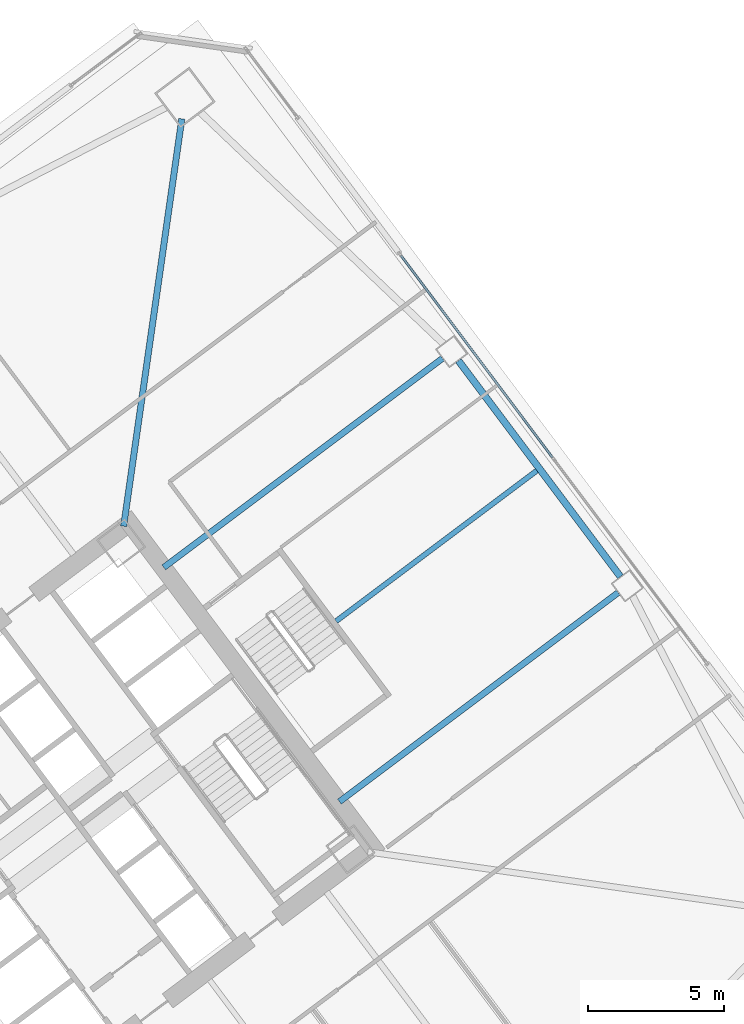
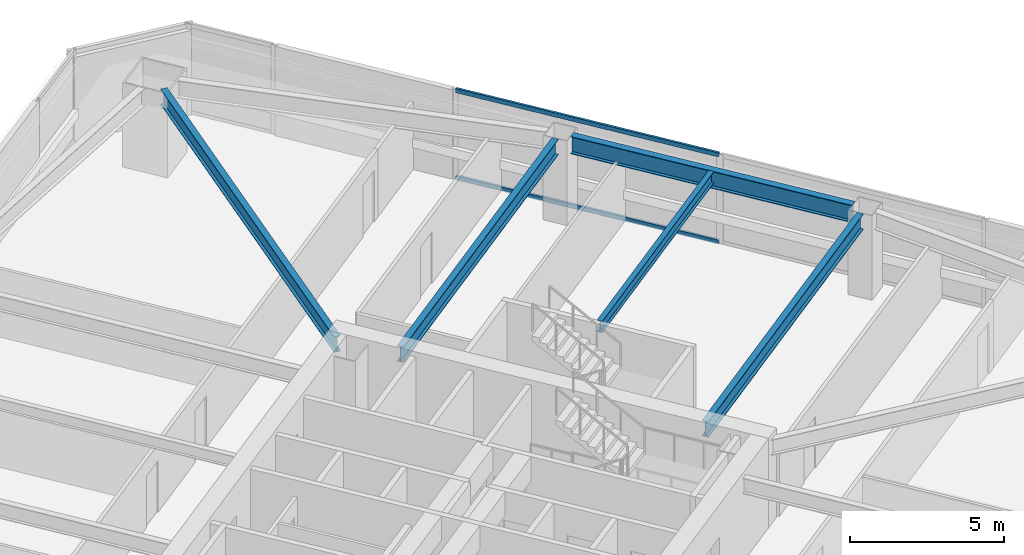
# One storey, part 33 of 48: 5 beams, 2 members, 1 element without a shape of its own.
"""IFC4 building model written with IfcOpenShell, lengths in metres."""

from ifc_helpers import new_model, si_unit, direction, frame, origin, origin_2d, place, context, subcontext, project, spatial, hollow_rectangle, i_section, extrude, material, material_profile, profile_set, type_object, element, aggregate, save


model = new_model("IFC4")

# Units and contexts
model_context = context("Model", 3, precision=1e-05, world=origin(), true_north=direction((0.0, 1.0)))
body_context = subcontext(model_context, "Body", "Model", "MODEL_VIEW")
ifc_project = project(units=[si_unit("LENGTHUNIT", "METRE"), si_unit("AREAUNIT", "SQUARE_METRE"), si_unit("VOLUMEUNIT", "CUBIC_METRE"), si_unit("PLANEANGLEUNIT", "RADIAN"), si_unit("MASSUNIT", "GRAM", prefix="KILO")], contexts=[model_context])

# Site, building, storey
site_placement = place(None, origin())
site = spatial("IfcSite", under=ifc_project, at=site_placement, CompositionType="ELEMENT")
building_placement = place(site_placement, origin())
building = spatial("IfcBuilding", under=site, at=building_placement, Name="Tashvorn Skyway Center", CompositionType="ELEMENT")
storey_placement = place(building_placement, frame((0.0, 0.0, 53.0)))
storey = spatial("IfcBuildingStorey", under=building, at=storey_placement, Name="L13", CompositionType="ELEMENT", Elevation=53.0)

# Beams
ifc_material_1 = material(Name="Steel ASTM A992 Grade 50", Category="steel")
ifc_material_profile_1 = material_profile(ifc_material_1, i_section(OverallWidth=0.22998046875, OverallDepth=0.616943359375, WebThickness=0.01318359375, FlangeThickness=0.022216796875, at=origin_2d()), Name="W24X94")
ifc_profile_set_1 = profile_set([ifc_material_profile_1], Name="Steel ASTM A992 Grade 50")
beam_type_1 = type_object("IfcBeamType", Name="BM-BEAM-W24X94", PredefinedType="BEAM", material=ifc_profile_set_1)
beam_1_placement = place(storey_placement, frame((117.6474609375, 57.532958984375, 3.04150390625), z_axis=(-0.141414599991, -0.989950458816, 0.0), x_axis=(0.989950458816, -0.141414599991, 0.0)))
element("IfcBeam", 1, at=beam_1_placement, inside=storey, type_object=beam_type_1, Name="Tower 2 L13 Primary Floor Girder MC-NE", PredefinedType="BEAM", context=body_context, shape_type="SweptSolid", body=[
    extrude(i_section(OverallWidth=0.22998046875, OverallDepth=0.616943359375, WebThickness=0.01318359375, FlangeThickness=0.022216796875, at=origin_2d()), origin(), (0.0, 0.0, 1.0), 15.177001953125),
])
beam_2_placement = place(storey_placement, frame((133.743896484375, 40.05810546875, 3.04150390625), z_axis=(-0.799986320265, -0.600018239213, 0.0), x_axis=(0.600018239213, -0.799986320265, 0.0)))
element("IfcBeam", 2, at=beam_2_placement, inside=storey, type_object=beam_type_1, Name="Tower 2 L13 Primary Floor Girder FC-E1", PredefinedType="BEAM", context=body_context, shape_type="SweptSolid", body=[
    extrude(i_section(OverallWidth=0.22998046875, OverallDepth=0.616943359375, WebThickness=0.01318359375, FlangeThickness=0.022216796875, at=origin_2d()), origin(), (0.0, 0.0, 1.0), 12.849853515625),
])
beam_3_placement = place(storey_placement, frame((127.263916015625, 48.697998046875, 3.04150390625), z_axis=(-0.800002279907, -0.599996960112, 0.0), x_axis=(0.599996960112, -0.800002279907, 0.0)))
element("IfcBeam", 3, at=beam_3_placement, inside=storey, type_object=beam_type_1, Name="Tower 2 L13 Primary Floor Girder FC-E2", PredefinedType="BEAM", context=body_context, shape_type="SweptSolid", body=[
    extrude(i_section(OverallWidth=0.22998046875, OverallDepth=0.616943359375, WebThickness=0.01318359375, FlangeThickness=0.022216796875, at=origin_2d()), origin(), (0.0, 0.0, 1.0), 12.85009765625),
])
ifc_material_profile_2 = material_profile(ifc_material_1, i_section(OverallWidth=0.19091796875, OverallDepth=0.4599609375, WebThickness=0.010009765625, FlangeThickness=0.01611328125, at=origin_2d()), Name="W18X55")
ifc_profile_set_2 = profile_set([ifc_material_profile_2], Name="Steel ASTM A992 Grade 50")
beam_type_2 = type_object("IfcBeamType", Name="BM-JOIST-W18X55", PredefinedType="JOIST", material=ifc_profile_set_2)
beam_4_placement = place(storey_placement, frame((123.3359375, 39.001953125, 3.1201171875), z_axis=(0.799990508532, 0.600012655082, 0.0), x_axis=(-0.600012655082, 0.799990508532, 0.0)))
element("IfcBeam", 4, at=beam_4_placement, inside=storey, type_object=beam_type_2, Name="Tower 2 L13 Secondary Composite Joist JE", PredefinedType="JOIST", context=body_context, shape_type="SweptSolid", body=[
    extrude(i_section(OverallWidth=0.19091796875, OverallDepth=0.4599609375, WebThickness=0.010009765625, FlangeThickness=0.01611328125, at=origin_2d()), origin(), (0.0, 0.0, 1.0), 9.260009765625),
])
ifc_material_profile_3 = material_profile(ifc_material_1, i_section(OverallWidth=0.256103515625, OverallDepth=0.693115234375, WebThickness=0.014404296875, FlangeThickness=0.023681640625, at=origin_2d()), Name="W27X114")
ifc_profile_set_3 = profile_set([ifc_material_profile_3], Name="Steel ASTM A992 Grade 50")
beam_type_3 = type_object("IfcBeamType", Name="BM-SPANDREL-W27X114", PredefinedType="SPANDREL", material=ifc_profile_set_3)
beam_5_placement = place(storey_placement, frame((133.827880859375, 40.64599609375, 3.00341796875), z_axis=(-0.599988234018, 0.800008824351, 0.0), x_axis=(-0.800008824351, -0.599988234018, 0.0)))
element("IfcBeam", 5, at=beam_5_placement, inside=storey, type_object=beam_type_3, Name="Tower 2 L13 Spandrel Beam 05", PredefinedType="SPANDREL", context=body_context, shape_type="SweptSolid", body=[
    extrude(i_section(OverallWidth=0.256103515625, OverallDepth=0.693115234375, WebThickness=0.014404296875, FlangeThickness=0.023681640625, at=origin_2d()), origin(), (0.0, 0.0, 1.0), 9.9599609375),
])

# Curtain wall, members
ifc_material_2 = material(Name="Thermally broken bronze-anodized aluminium 6063-T6", Category="aluminium")
curtain_wall_type = type_object("IfcCurtainWallType", Name="CW-CW-Z1", PredefinedType="NOTDEFINED", material=ifc_material_2)
curtain_wall_placement = place(storey_placement, origin())
curtain_wall = element("IfcCurtainWall", 6, at=curtain_wall_placement, inside=storey, type_object=curtain_wall_type, Name="Tower 2 L13 East Unitised Curtain Wall Glazing Group 2", PredefinedType="NOTDEFINED")
ifc_material_profile_4 = material_profile(ifc_material_2, hollow_rectangle(XDim=0.0849609375, YDim=0.1650390625, WallThickness=0.0048828125, at=origin_2d()), Name="ALU-TRAN-85x165")
ifc_profile_set_4 = profile_set([ifc_material_profile_4], Name="Thermally broken bronze-anodized aluminium 6063-T6")
member_type = type_object("IfcMemberType", Name="CWT-CW-Z1", PredefinedType="USERDEFINED", material=ifc_profile_set_4)
member_1_placement = place(storey_placement, frame((125.73095703125, 52.491943359375, 0.04248046875), z_axis=(0.600012583752, -0.799990562031, 0.0), x_axis=(0.799990562031, 0.600012583752, 0.0)))
member_1 = element("IfcMember", 7, at=member_1_placement, type_object=member_type, Name="CW-Z1 transom 1.1", ObjectType="TRANSOM", PredefinedType="USERDEFINED", context=body_context, shape_type="SweptSolid", body=[
    extrude(hollow_rectangle(XDim=0.0849609375, YDim=0.1650390625, WallThickness=0.0048828125, at=origin_2d()), origin(), (0.0, 0.0, 1.0), 9.3125),
])
member_2_placement = place(storey_placement, frame((125.73095703125, 52.491943359375, 3.507568359375), z_axis=(0.600012583752, -0.799990562031, 0.0), x_axis=(0.799990562031, 0.600012583752, 0.0)))
member_2 = element("IfcMember", 8, at=member_2_placement, type_object=member_type, Name="CW-Z1 transom 1.2", ObjectType="TRANSOM", PredefinedType="USERDEFINED", context=body_context, shape_type="SweptSolid", body=[
    extrude(hollow_rectangle(XDim=0.0849609375, YDim=0.1650390625, WallThickness=0.0048828125, at=origin_2d()), origin(), (0.0, 0.0, 1.0), 9.3125),
])
aggregate(curtain_wall, [member_1, member_2])

save(model, "model.ifc")
